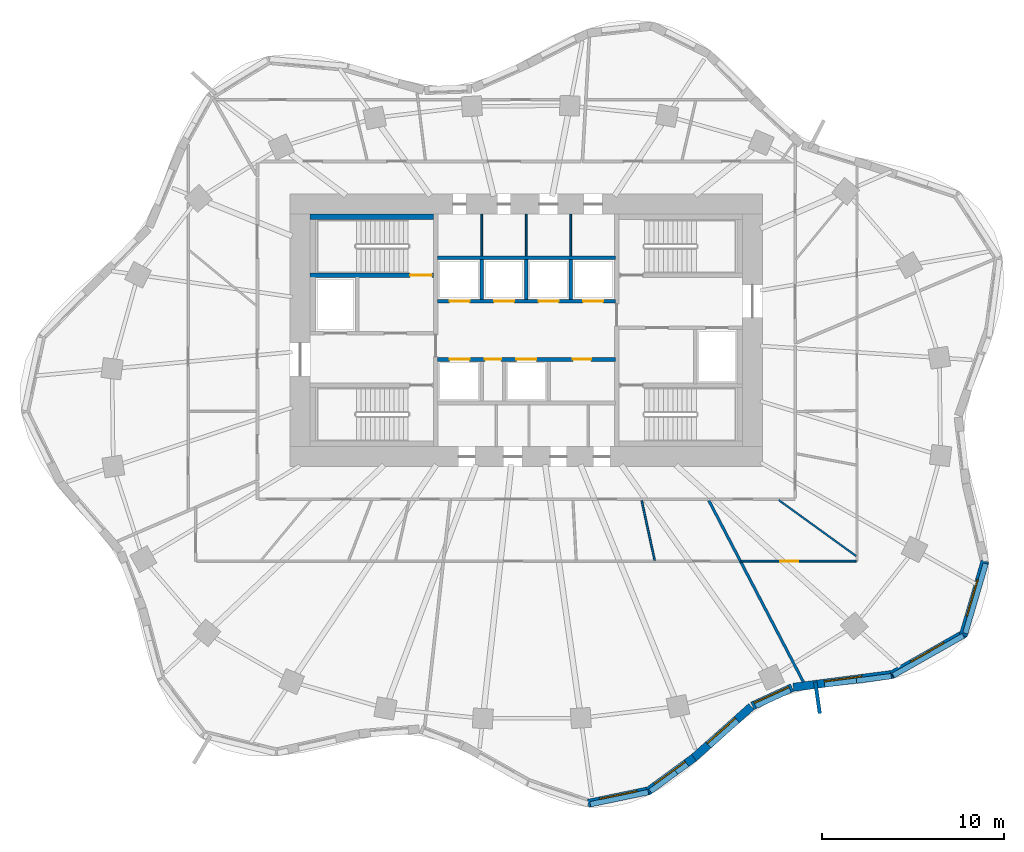
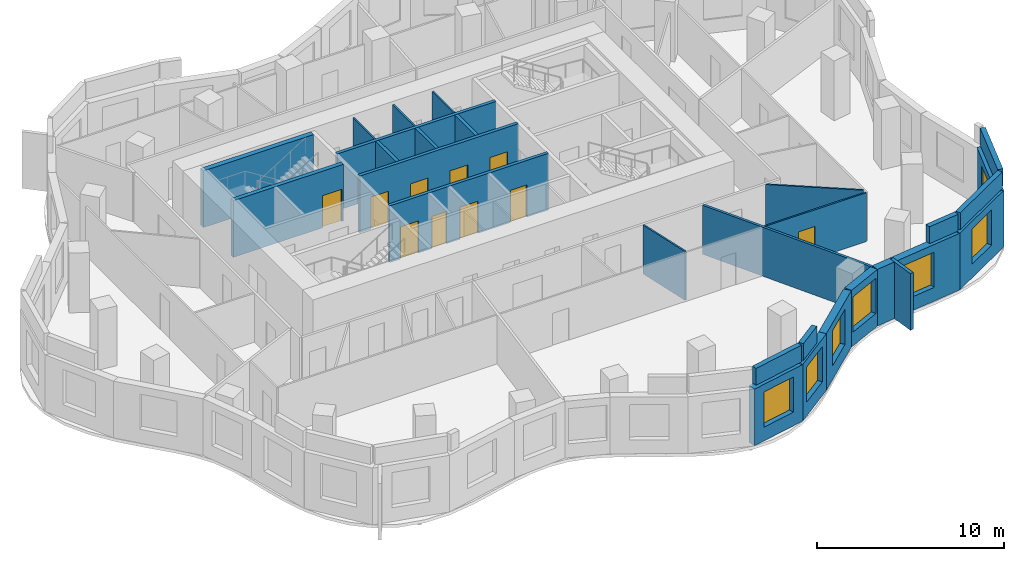
# One storey, part 5 of 9: 28 walls, 10 doors, 7 windows, 17 openings.
"""IFC4 building model written with IfcOpenShell, lengths in metres."""

import ifcopenshell
import ifcopenshell.guid

model = None  # the IFC model being written
_history = None  # IfcOwnerHistory: only IFC2X3 demands one
_inside = {}  # id of a spatial element -> (the spatial element, [elements in it])
_under = {}  # id of a project, library or spatial element -> (it, [spatial elements below it])
_declared = {}  # id of a project -> (the project, [libraries it declares])
_typed = {}  # id of a type object -> (the type object, [elements of that type])
_made_of = {}  # id of a material, layer set ... -> (it, [elements and type objects made of it])


def new_model(schema):
    """Start an empty IFC model of exactly this schema.

    Asked for "IFC4X3", IfcOpenShell would pick the latest addendum, in which some entities
    have other attributes; the version numbers below select the first issue.
    IFC2X3 requires an IfcOwnerHistory on every rooted entity: one is made here for all.
    """
    global model, _history
    if schema == "IFC4X3":
        model = ifcopenshell.file(schema_version=(4, 3, 0, 0))
    else:
        model = ifcopenshell.file(schema=schema)
    _inside.clear()
    _under.clear()
    _declared.clear()
    _typed.clear()
    _made_of.clear()
    _history = None
    if model.schema == "IFC2X3":
        org = make("IfcOrganization", Name="unknown")
        user = make(
            "IfcPersonAndOrganization",
            ThePerson=make("IfcPerson", FamilyName="unknown"),
            TheOrganization=org,
        )
        app = make(
            "IfcApplication",
            ApplicationDeveloper=org,
            Version="unknown",
            ApplicationFullName="unknown",
            ApplicationIdentifier="unknown",
        )
        _history = make(
            "IfcOwnerHistory",
            OwningUser=user,
            OwningApplication=app,
            ChangeAction="ADDED",
            CreationDate=0,
        )
    return model


def make(cls, **values):
    """One entity of the class cls with the attributes given. An attribute that is None is left unset."""
    return model.create_entity(
        cls, **{name: value for name, value in values.items() if value is not None}
    )


def rooted(cls, **values):
    """An entity with a GlobalId (a new one), such as an element, a storey or a relation."""
    return make(cls, GlobalId=ifcopenshell.guid.new(), OwnerHistory=_history, **values)


def si_unit(unit_type, name, prefix=None):
    """IfcSIUnit, for example si_unit("LENGTHUNIT", "METRE", prefix="MILLI")."""
    return make("IfcSIUnit", UnitType=unit_type, Prefix=prefix, Name=name)


def assignment(units):
    """IfcUnitAssignment: the units of a project."""
    return None if units is None else make("IfcUnitAssignment", Units=units)


def point(xyz):
    """IfcCartesianPoint."""
    return None if xyz is None else make("IfcCartesianPoint", Coordinates=xyz)


def direction(xyz):
    """IfcDirection."""
    return None if xyz is None else make("IfcDirection", DirectionRatios=xyz)


def frame(location, z_axis=None, x_axis=None):
    """IfcAxis2Placement3D, a coordinate frame: its origin and axes. An axis left out is left unset."""
    return make(
        "IfcAxis2Placement3D",
        Location=point(location),
        Axis=direction(z_axis),
        RefDirection=direction(x_axis),
    )


def frame_2d(location, x_axis=None):
    """IfcAxis2Placement2D, a coordinate frame in the plane: its origin and x axis."""
    return make(
        "IfcAxis2Placement2D", Location=point(location), RefDirection=direction(x_axis)
    )


def origin():
    """The frame at (0, 0, 0) with its axes left unset."""
    return frame((0.0, 0.0, 0.0))


def place(relative_to, where):
    """IfcLocalPlacement: puts the frame where relative to a parent placement (None: the world)."""
    return make(
        "IfcLocalPlacement", PlacementRelTo=relative_to, RelativePlacement=where
    )


def context(
    kind, dimensions, precision=None, world=None, true_north=None, identifier=None
):
    """IfcGeometricRepresentationContext, for example the 3D "Model" context."""
    return make(
        "IfcGeometricRepresentationContext",
        ContextIdentifier=identifier,
        ContextType=kind,
        CoordinateSpaceDimension=dimensions,
        Precision=precision,
        WorldCoordinateSystem=world,
        TrueNorth=true_north,
    )


def subcontext(parent, identifier, kind, view, scale=None):
    """IfcGeometricRepresentationSubContext, for example "Body" below "Model"."""
    return make(
        "IfcGeometricRepresentationSubContext",
        ContextIdentifier=identifier,
        ContextType=kind,
        ParentContext=parent,
        TargetScale=scale,
        TargetView=view,
    )


def project(units=None, contexts=None):
    """IfcProject with its units and contexts."""
    return rooted(
        "IfcProject",
        Name="project",
        RepresentationContexts=contexts,
        UnitsInContext=assignment(units),
    )


def spatial(cls, under=None, at=None, **own):
    """A site, building, storey or space (cls), placed at a placement, below another one or the project."""
    s = rooted(cls, ObjectPlacement=at, **own)
    if under is not None:
        _under.setdefault(under.id(), (under, []))[1].append(s)
    return s


def profile(cls, at=None, kind="AREA", **sizes):
    """A parametric profile (cls). Its sizes go by their IFC names, for example OverallWidth=200.0."""
    return make(cls, ProfileType=kind, Position=at, **sizes)


def rectangle(**sizes):
    """IfcRectangleProfileDef."""
    return profile("IfcRectangleProfileDef", **sizes)


def extrude(swept, where, along, depth):
    """IfcExtrudedAreaSolid: the profile swept, set in the frame where, extruded along a direction by depth."""
    return make(
        "IfcExtrudedAreaSolid",
        SweptArea=swept,
        Position=where,
        ExtrudedDirection=direction(along),
        Depth=depth,
    )


def shape(context_of_items, identifier, shape_type, items):
    """IfcShapeRepresentation: the items that make up one representation, for example the "Body"."""
    return make(
        "IfcShapeRepresentation",
        ContextOfItems=context_of_items,
        RepresentationIdentifier=identifier,
        RepresentationType=shape_type,
        Items=items,
    )


def material(Name=None, Category=None):
    """IfcMaterial."""
    return make("IfcMaterial", Name=Name, Category=Category)


def layer(
    of_material, thickness, ventilated=None, Name=None, Category=None, Priority=None
):
    """IfcMaterialLayer: one layer of a wall or slab, of a material (None: an air gap)."""
    return make(
        "IfcMaterialLayer",
        Material=of_material,
        LayerThickness=thickness,
        IsVentilated=ventilated,
        Name=Name,
        Category=Category,
        Priority=Priority,
    )


def layer_set(layers, Name=None):
    """IfcMaterialLayerSet."""
    return make("IfcMaterialLayerSet", MaterialLayers=layers, LayerSetName=Name)


def made_of(thing, what):
    """Note that an element or type object is made of a material, layer set ...; save() writes the relation."""
    if what is not None:
        _made_of.setdefault(what.id(), (what, []))[1].append(thing)
    return thing


def type_object(cls, material=None, **own):
    """A type object (cls), such as IfcWallType, which elements share."""
    return made_of(rooted(cls, **own), material)


def element(
    cls,
    number,
    at=None,
    inside=None,
    cuts=None,
    type_object=None,
    material=None,
    context=None,
    identifier="Body",
    shape_type=None,
    held_by="IfcProductDefinitionShape",
    body=None,
    shapes=None,
    **own,
):
    """One element of the class cls, such as IfcWall. Its Tag is "e" and its number.

    at: its placement. inside: the storey or other place that contains it. cuts: it is an
    opening in that element (IfcRelVoidsElement). A single representation is given by context,
    identifier, shape_type and body (its items); several are given by shapes. held_by: the class
    of the entity that holds the representations. save() writes the other relations.
    """
    e = rooted(cls, Tag="e%d" % number, ObjectPlacement=at, **own)
    if body is not None:
        shapes = [shape(context, identifier, shape_type, body)]
    if shapes is not None:
        e.Representation = make(held_by, Representations=shapes)
    if inside is not None:
        _inside.setdefault(inside.id(), (inside, []))[1].append(e)
    if cuts is not None:
        rooted(
            "IfcRelVoidsElement", RelatingBuildingElement=cuts, RelatedOpeningElement=e
        )
    if type_object is not None:
        _typed.setdefault(type_object.id(), (type_object, []))[1].append(e)
    return made_of(e, material)


def fill(opening, filler):
    """IfcRelFillsElement: the door or window that sits in an opening."""
    return rooted(
        "IfcRelFillsElement",
        RelatingOpeningElement=opening,
        RelatedBuildingElement=filler,
    )


def aggregate(whole, parts):
    """IfcRelAggregates: a whole, such as a stair, and the parts it consists of."""
    return rooted("IfcRelAggregates", RelatingObject=whole, RelatedObjects=parts)


def save(model, path):
    """Write the relations noted so far, then the file.

    IfcRelAggregates (storeys below a building ...), IfcRelContainedInSpatialStructure (elements
    in a storey), IfcRelDefinesByType, IfcRelAssociatesMaterial and IfcRelDeclares: one each for
    every whole, place, type object, material and project.
    """
    for whole, parts in _under.values():
        aggregate(whole, parts)
    for where, things in _inside.values():
        rooted(
            "IfcRelContainedInSpatialStructure",
            RelatedElements=things,
            RelatingStructure=where,
        )
    for kind, things in _typed.values():
        rooted("IfcRelDefinesByType", RelatedObjects=things, RelatingType=kind)
    for what, things in _made_of.values():
        rooted("IfcRelAssociatesMaterial", RelatedObjects=things, RelatingMaterial=what)
    for by, libraries in _declared.values():
        rooted("IfcRelDeclares", RelatingContext=by, RelatedDefinitions=libraries)
    model.write(path)


model = new_model("IFC4")

# Units and contexts
model_context = context("Model", 3, precision=1e-05, world=origin(), true_north=direction((0.0, 1.0)))
body_context = subcontext(model_context, "Body", "Model", "MODEL_VIEW")
ifc_project = project(units=[si_unit("LENGTHUNIT", "METRE"), si_unit("AREAUNIT", "SQUARE_METRE"), si_unit("VOLUMEUNIT", "CUBIC_METRE"), si_unit("PLANEANGLEUNIT", "RADIAN"), si_unit("MASSUNIT", "GRAM", prefix="KILO")], contexts=[model_context])

# Site, building, storey
site_placement = place(None, origin())
site = spatial("IfcSite", under=ifc_project, at=site_placement, CompositionType="ELEMENT")
building_placement = place(site_placement, origin())
building = spatial("IfcBuilding", under=site, at=building_placement, Name="Rubra Terraces Tower", CompositionType="ELEMENT")
storey_placement = place(building_placement, frame((0.0, 0.0, 142.199951171875)))
storey = spatial("IfcBuildingStorey", under=building, at=storey_placement, Name="L34", CompositionType="ELEMENT", Elevation=142.199951171875)

# Wall, opening, window
ifc_material_1 = material(Name="Brick masonry red-brown", Category="masonry")
ifc_layer_1 = layer(ifc_material_1, 0.449951171875)
ifc_layer_set_1 = layer_set([ifc_layer_1], Name="Brick masonry red-brown")
wall_type_1 = type_object("IfcWallType", Name="Brick facade wall 450", PredefinedType="SOLIDWALL", material=ifc_layer_set_1)
wall_1_placement = place(storey_placement, frame((3.39892578125, -21.53173828125, 0.0), z_axis=(0.0, 0.0, 1.0), x_axis=(0.978915912181, 0.204263645512, 0.0)))
wall_1 = element("IfcWall", 1, at=wall_1_placement, inside=storey, type_object=wall_type_1, Name="Facade wall L34 bay 32", PredefinedType="SOLIDWALL", context=body_context, shape_type="SweptSolid", body=[
    extrude(rectangle(XDim=3.466064453125, YDim=0.449951171875, at=frame_2d((1.73291015625, 0.0))), origin(), (0.0, 0.0, 1.0), 3.699951171875),
])
opening_1_placement = place(wall_1_placement, frame((0.68310546875, 0.0, 0.89990234375)))
opening_1 = element("IfcOpeningElement", 2, at=opening_1_placement, cuts=wall_1, Name="Opening W1B", PredefinedType="OPENING", context=body_context, shape_type="SweptSolid", body=[
    extrude(rectangle(XDim=2.10009765625, YDim=2.300048828125, at=frame_2d((1.050048828125, 1.14990234375))), frame((0.0, 0.23486328125, 0.0), z_axis=(0.0, -1.0, 0.0), x_axis=(1.0, 0.0, 0.0)), (0.0, 0.0, 1.0), 0.469970703125),
])
ifc_material_2 = material(Name="Clear glass in aluminium frame", Category="aluminium")
window_type = type_object("IfcWindowType", Name="Fixed deep-set window tall storey 2100 x 2300", PartitioningType="SINGLE_PANEL", PredefinedType="WINDOW", material=ifc_material_2)
window_1_placement = place(opening_1_placement, origin())
window_1 = element("IfcWindow", 3, at=window_1_placement, inside=storey, type_object=window_type, Name="Window L34 bay 32", OverallHeight=2.300048828125, OverallWidth=2.10009765625, PartitioningType="SINGLE_PANEL", PredefinedType="WINDOW", context=body_context, shape_type="SweptSolid", body=[
    extrude(rectangle(XDim=2.10009765625, YDim=2.300048828125, at=frame_2d((1.050048828125, 1.14990234375))), frame((0.0, 0.135009765625, 0.0), z_axis=(0.0, -1.0, 0.0), x_axis=(1.0, 0.0, 0.0)), (0.0, 0.0, 1.0), 0.06005859375),
])
fill(opening_1, window_1)

wall_2_placement = place(storey_placement, frame((6.705078125, -20.8623046875, 0.0), z_axis=(0.0, 0.0, 1.0), x_axis=(0.806921336267, 0.590658917716, 0.0)))
wall_2 = element("IfcWall", 4, at=wall_2_placement, inside=storey, type_object=wall_type_1, Name="Facade wall L34 bay 33", PredefinedType="SOLIDWALL", context=body_context, shape_type="SweptSolid", body=[
    extrude(rectangle(XDim=3.124755859375, YDim=0.449951171875, at=frame_2d((1.5625, 0.0))), origin(), (0.0, 0.0, 1.0), 3.699951171875),
])
opening_2_placement = place(wall_2_placement, frame((0.512451171875, 0.0, 0.89990234375)))
opening_2 = element("IfcOpeningElement", 5, at=opening_2_placement, cuts=wall_2, Name="Opening W1B", PredefinedType="OPENING", context=body_context, shape_type="SweptSolid", body=[
    extrude(rectangle(XDim=2.10009765625, YDim=2.300048828125, at=frame_2d((1.050048828125, 1.14990234375))), frame((0.0, 0.23486328125, 0.0), z_axis=(0.0, -1.0, 0.0), x_axis=(1.0, 0.0, 0.0)), (0.0, 0.0, 1.0), 0.469970703125),
])
window_2_placement = place(opening_2_placement, origin())
window_2 = element("IfcWindow", 6, at=window_2_placement, inside=storey, type_object=window_type, Name="Window L34 bay 33", OverallHeight=2.300048828125, OverallWidth=2.10009765625, PartitioningType="SINGLE_PANEL", PredefinedType="WINDOW", context=body_context, shape_type="SweptSolid", body=[
    extrude(rectangle(XDim=2.10009765625, YDim=2.300048828125, at=frame_2d((1.050048828125, 1.14990234375))), frame((0.0, 0.135009765625, 0.0), z_axis=(0.0, -1.0, 0.0), x_axis=(1.0, 0.0, 0.0)), (0.0, 0.0, 1.0), 0.06005859375),
])
fill(opening_2, window_2)

wall_3_placement = place(storey_placement, frame((9.2099609375, -19.030029296875, 0.0), z_axis=(0.0, 0.0, 1.0), x_axis=(0.747396648191, 0.664378092861, 0.0)))
wall_3 = element("IfcWall", 7, at=wall_3_placement, inside=storey, type_object=wall_type_1, Name="Facade wall L34 bay 34", PredefinedType="SOLIDWALL", context=body_context, shape_type="SweptSolid", body=[
    extrude(rectangle(XDim=4.25244140625, YDim=0.449951171875, at=frame_2d((2.126220703125, 0.0))), origin(), (0.0, 0.0, 1.0), 3.699951171875),
])
opening_3_placement = place(wall_3_placement, frame((1.076171875, 0.0, 0.89990234375)))
opening_3 = element("IfcOpeningElement", 8, at=opening_3_placement, cuts=wall_3, Name="Opening W1B", PredefinedType="OPENING", context=body_context, shape_type="SweptSolid", body=[
    extrude(rectangle(XDim=2.10009765625, YDim=2.300048828125, at=frame_2d((1.050048828125, 1.14990234375))), frame((0.0, 0.23486328125, 0.0), z_axis=(0.0, -1.0, 0.0), x_axis=(1.0, 0.0, 0.0)), (0.0, 0.0, 1.0), 0.469970703125),
])
window_3_placement = place(opening_3_placement, origin())
window_3 = element("IfcWindow", 9, at=window_3_placement, inside=storey, type_object=window_type, Name="Window L34 bay 34", OverallHeight=2.300048828125, OverallWidth=2.10009765625, PartitioningType="SINGLE_PANEL", PredefinedType="WINDOW", context=body_context, shape_type="SweptSolid", body=[
    extrude(rectangle(XDim=2.10009765625, YDim=2.300048828125, at=frame_2d((1.050048828125, 1.14990234375))), frame((0.0, 0.135009765625, 0.0), z_axis=(0.0, -1.0, 0.0), x_axis=(1.0, 0.0, 0.0)), (0.0, 0.0, 1.0), 0.06005859375),
])
fill(opening_3, window_3)

wall_4_placement = place(storey_placement, frame((12.443603515625, -16.168701171875, 0.0), z_axis=(0.0, 0.0, 1.0), x_axis=(0.908468904074, 0.417952449844, 0.0)))
wall_4 = element("IfcWall", 10, at=wall_4_placement, inside=storey, type_object=wall_type_1, Name="Facade wall L34 bay 35", PredefinedType="SOLIDWALL", context=body_context, shape_type="SweptSolid", body=[
    extrude(rectangle(XDim=2.408935546875, YDim=0.449951171875, at=frame_2d((1.20458984375, 0.0))), origin(), (0.0, 0.0, 1.0), 3.699951171875),
])
opening_4_placement = place(wall_4_placement, frame((0.154541015625, 0.0, 0.89990234375)))
opening_4 = element("IfcOpeningElement", 11, at=opening_4_placement, cuts=wall_4, Name="Opening W1B", PredefinedType="OPENING", context=body_context, shape_type="SweptSolid", body=[
    extrude(rectangle(XDim=2.10009765625, YDim=2.300048828125, at=frame_2d((1.050048828125, 1.14990234375))), frame((0.0, 0.23486328125, 0.0), z_axis=(0.0, -1.0, 0.0), x_axis=(1.0, 0.0, 0.0)), (0.0, 0.0, 1.0), 0.469970703125),
])
window_4_placement = place(opening_4_placement, origin())
window_4 = element("IfcWindow", 12, at=window_4_placement, inside=storey, type_object=window_type, Name="Window L34 bay 35", OverallHeight=2.300048828125, OverallWidth=2.10009765625, PartitioningType="SINGLE_PANEL", PredefinedType="WINDOW", context=body_context, shape_type="SweptSolid", body=[
    extrude(rectangle(XDim=2.10009765625, YDim=2.300048828125, at=frame_2d((1.050048828125, 1.14990234375))), frame((0.0, 0.135009765625, 0.0), z_axis=(0.0, -1.0, 0.0), x_axis=(1.0, 0.0, 0.0)), (0.0, 0.0, 1.0), 0.06005859375),
])
fill(opening_4, window_4)

wall_5_placement = place(storey_placement, frame((14.697265625, -15.143310546875, 0.0), z_axis=(0.0, 0.0, 1.0), x_axis=(0.991631798411, 0.129098320597, 0.0)))
wall_5 = element("IfcWall", 13, at=wall_5_placement, inside=storey, type_object=wall_type_1, Name="Facade wall L34 bay 36", PredefinedType="SOLIDWALL", context=body_context, shape_type="SweptSolid", body=[
    extrude(rectangle(XDim=5.546630859375, YDim=0.449951171875, at=frame_2d((2.7734375, 0.0))), origin(), (0.0, 0.0, 1.0), 3.699951171875),
])
opening_5_placement = place(wall_5_placement, frame((1.723388671875, 0.0, 0.89990234375)))
opening_5 = element("IfcOpeningElement", 14, at=opening_5_placement, cuts=wall_5, Name="Opening W1B", PredefinedType="OPENING", context=body_context, shape_type="SweptSolid", body=[
    extrude(rectangle(XDim=2.10009765625, YDim=2.300048828125, at=frame_2d((1.050048828125, 1.14990234375))), frame((0.0, 0.23486328125, 0.0), z_axis=(0.0, -1.0, 0.0), x_axis=(1.0, 0.0, 0.0)), (0.0, 0.0, 1.0), 0.469970703125),
])
window_5_placement = place(opening_5_placement, origin())
window_5 = element("IfcWindow", 15, at=window_5_placement, inside=storey, type_object=window_type, Name="Window L34 bay 36", OverallHeight=2.300048828125, OverallWidth=2.10009765625, PartitioningType="SINGLE_PANEL", PredefinedType="WINDOW", context=body_context, shape_type="SweptSolid", body=[
    extrude(rectangle(XDim=2.10009765625, YDim=2.300048828125, at=frame_2d((1.050048828125, 1.14990234375))), frame((0.0, 0.135009765625, 0.0), z_axis=(0.0, -1.0, 0.0), x_axis=(1.0, 0.0, 0.0)), (0.0, 0.0, 1.0), 0.06005859375),
])
fill(opening_5, window_5)

wall_6_placement = place(storey_placement, frame((20.115478515625, -14.45458984375, 0.0), z_axis=(0.0, 0.0, 1.0), x_axis=(0.869822679286, 0.493364476427, 0.0)))
wall_6 = element("IfcWall", 16, at=wall_6_placement, inside=storey, type_object=wall_type_1, Name="Facade wall L34 bay 37", PredefinedType="SOLIDWALL", context=body_context, shape_type="SweptSolid", body=[
    extrude(rectangle(XDim=4.63818359375, YDim=0.449951171875, at=frame_2d((2.319091796875, 0.0))), origin(), (0.0, 0.0, 1.0), 3.699951171875),
])
opening_6_placement = place(wall_6_placement, frame((1.26904296875, 0.0, 0.89990234375)))
opening_6 = element("IfcOpeningElement", 17, at=opening_6_placement, cuts=wall_6, Name="Opening W1B", PredefinedType="OPENING", context=body_context, shape_type="SweptSolid", body=[
    extrude(rectangle(XDim=2.10009765625, YDim=2.300048828125, at=frame_2d((1.050048828125, 1.14990234375))), frame((0.0, 0.23486328125, 0.0), z_axis=(0.0, -1.0, 0.0), x_axis=(1.0, 0.0, 0.0)), (0.0, 0.0, 1.0), 0.469970703125),
])
window_6_placement = place(opening_6_placement, origin())
window_6 = element("IfcWindow", 18, at=window_6_placement, inside=storey, type_object=window_type, Name="Window L34 bay 37", OverallHeight=2.300048828125, OverallWidth=2.10009765625, PartitioningType="SINGLE_PANEL", PredefinedType="WINDOW", context=body_context, shape_type="SweptSolid", body=[
    extrude(rectangle(XDim=2.10009765625, YDim=2.300048828125, at=frame_2d((1.050048828125, 1.14990234375))), frame((0.0, 0.135009765625, 0.0), z_axis=(0.0, -1.0, 0.0), x_axis=(1.0, 0.0, 0.0)), (0.0, 0.0, 1.0), 0.06005859375),
])
fill(opening_6, window_6)

wall_7_placement = place(storey_placement, frame((24.045166015625, -12.298583984375, 0.0), z_axis=(0.0, 0.0, 1.0), x_axis=(0.281381418228, 0.95959600743, 0.0)))
wall_7 = element("IfcWall", 19, at=wall_7_placement, inside=storey, type_object=wall_type_1, Name="Facade wall L34 bay 38", PredefinedType="SOLIDWALL", context=body_context, shape_type="SweptSolid", body=[
    extrude(rectangle(XDim=4.260986328125, YDim=0.449951171875, at=frame_2d((2.13037109375, 0.0))), origin(), (0.0, 0.0, 1.0), 3.699951171875),
])
opening_7_placement = place(wall_7_placement, frame((1.08056640625, 0.0, 0.89990234375)))
opening_7 = element("IfcOpeningElement", 20, at=opening_7_placement, cuts=wall_7, Name="Opening W1B", PredefinedType="OPENING", context=body_context, shape_type="SweptSolid", body=[
    extrude(rectangle(XDim=2.10009765625, YDim=2.300048828125, at=frame_2d((1.050048828125, 1.14990234375))), frame((0.0, 0.23486328125, 0.0), z_axis=(0.0, -1.0, 0.0), x_axis=(1.0, 0.0, 0.0)), (0.0, 0.0, 1.0), 0.469970703125),
])
window_7_placement = place(opening_7_placement, origin())
window_7 = element("IfcWindow", 21, at=window_7_placement, inside=storey, type_object=window_type, Name="Window L34 bay 38", OverallHeight=2.300048828125, OverallWidth=2.10009765625, PartitioningType="SINGLE_PANEL", PredefinedType="WINDOW", context=body_context, shape_type="SweptSolid", body=[
    extrude(rectangle(XDim=2.10009765625, YDim=2.300048828125, at=frame_2d((1.050048828125, 1.14990234375))), frame((0.0, 0.135009765625, 0.0), z_axis=(0.0, -1.0, 0.0), x_axis=(1.0, 0.0, 0.0)), (0.0, 0.0, 1.0), 0.06005859375),
])
fill(opening_7, window_7)

# Walls
ifc_layer_2 = layer(ifc_material_1, 0.300048828125)
ifc_layer_set_2 = layer_set([ifc_layer_2], Name="Brick masonry red-brown")
wall_type_2 = type_object("IfcWallType", Name="Brick parapet 300", PredefinedType="PARAPET", material=ifc_layer_set_2)
wall_8_placement = place(storey_placement, frame((3.523681640625, -21.582275390625, 3.900146484375), z_axis=(0.0, 0.0, 1.0), x_axis=(0.97891618591, 0.204262333689, 0.0)))
element("IfcWall", 22, at=wall_8_placement, inside=storey, type_object=wall_type_2, Name="Parapet L34 bay 32", PredefinedType="PARAPET", context=body_context, shape_type="SweptSolid", body=[
    extrude(rectangle(XDim=3.25927734375, YDim=0.300048828125, at=frame_2d((1.629638671875, 0.0))), origin(), (0.0, 0.0, 1.0), 1.099853515625),
])
wall_9_placement = place(storey_placement, frame((6.825927734375, -20.866943359375, 3.900146484375), z_axis=(0.0, 0.0, 1.0), x_axis=(0.806882780815, 0.59071158616, 0.0)))
element("IfcWall", 23, at=wall_9_placement, inside=storey, type_object=wall_type_2, Name="Parapet L34 bay 33", PredefinedType="PARAPET", context=body_context, shape_type="SweptSolid", body=[
    extrude(rectangle(XDim=1.769775390625, YDim=0.300048828125, at=frame_2d((0.884765625, 0.0))), origin(), (0.0, 0.0, 1.0), 1.099853515625),
])
wall_10_placement = place(storey_placement, frame((18.171875, -14.78173828125, 3.900146484375), z_axis=(0.0, 0.0, 1.0), x_axis=(0.99163214002, 0.129095696595, 0.0)))
element("IfcWall", 24, at=wall_10_placement, inside=storey, type_object=wall_type_2, Name="Parapet L34 bay 36", PredefinedType="PARAPET", context=body_context, shape_type="SweptSolid", body=[
    extrude(rectangle(XDim=1.928955078125, YDim=0.300048828125, at=frame_2d((0.96435546875, 0.0))), origin(), (0.0, 0.0, 1.0), 1.099853515625),
])
wall_11_placement = place(storey_placement, frame((20.195068359375, -14.495849609375, 3.900146484375), z_axis=(0.0, 0.0, 1.0), x_axis=(0.86982311217, 0.493363713234, 0.0)))
element("IfcWall", 25, at=wall_11_placement, inside=storey, type_object=wall_type_2, Name="Parapet L34 bay 37", PredefinedType="PARAPET", context=body_context, shape_type="SweptSolid", body=[
    extrude(rectangle(XDim=4.437744140625, YDim=0.300048828125, at=frame_2d((2.21875, 0.0))), origin(), (0.0, 0.0, 1.0), 1.099853515625),
])
wall_12_placement = place(storey_placement, frame((24.15966796875, -12.17431640625, 3.900146484375), z_axis=(0.0, 0.0, 1.0), x_axis=(0.281412876289, 0.959586782453, 0.0)))
element("IfcWall", 26, at=wall_12_placement, inside=storey, type_object=wall_type_2, Name="Parapet L34 bay 38", PredefinedType="PARAPET", context=body_context, shape_type="SweptSolid", body=[
    extrude(rectangle(XDim=4.000244140625, YDim=0.300048828125, at=frame_2d((2.0, 0.0))), origin(), (0.0, 0.0, 1.0), 1.099853515625),
])
ifc_layer_3 = layer(ifc_material_1, 0.199951171875)
ifc_layer_set_3 = layer_set([ifc_layer_3], Name="Brick masonry red-brown")
wall_type_3 = type_object("IfcWallType", Name="Brick wind fin 200", PredefinedType="SOLIDWALL", material=ifc_layer_set_3)
wall_13_placement = place(storey_placement, frame((15.905029296875, -14.85009765625, 0.0), z_axis=(0.0, 0.0, 1.0), x_axis=(0.140913490987, -0.990021912918, 0.0)))
element("IfcWall", 27, at=wall_13_placement, inside=storey, type_object=wall_type_3, Name="Wind fin L34 18", PredefinedType="SOLIDWALL", context=body_context, shape_type="SweptSolid", body=[
    extrude(rectangle(XDim=1.75, YDim=0.199951171875, at=frame_2d((0.875, 0.0))), origin(), (0.0, 0.0, 1.0), 3.699951171875),
])
ifc_material_3 = material(Name="Concrete C40", Category="concrete")
ifc_layer_4 = layer(ifc_material_3, 0.300048828125)
ifc_layer_set_4 = layer_set([ifc_layer_4], Name="Concrete C40")
wall_type_4 = type_object("IfcWallType", Name="Core lining wall 300 concrete", PredefinedType="SOLIDWALL", material=ifc_layer_set_4)
wall_14_placement = place(storey_placement, frame((-11.89990234375, 10.75, 0.0), z_axis=(0.0, 0.0, 1.0), x_axis=(1.0, 0.0, 0.0)))
element("IfcWall", 28, at=wall_14_placement, inside=storey, type_object=wall_type_4, Name="CORE LINING WALL L34", PredefinedType="SOLIDWALL", context=body_context, shape_type="SweptSolid", body=[
    extrude(rectangle(XDim=6.7998046875, YDim=0.300048828125, at=frame_2d((3.39990234375, 0.0))), origin(), (0.0, 0.0, 1.0), 3.699951171875),
])

# Wall, openings, doors
ifc_material_4 = material(Name="Concrete C30", Category="concrete")
ifc_layer_5 = layer(ifc_material_4, 0.199951171875)
ifc_layer_set_5 = layer_set([ifc_layer_5], Name="Concrete C30")
wall_type_5 = type_object("IfcWallType", Name="Core wall 200 concrete", PredefinedType="SOLIDWALL", material=ifc_layer_set_5)
wall_15_placement = place(storey_placement, frame((-4.89990234375, 2.89990234375, 0.0), z_axis=(0.0, 0.0, 1.0), x_axis=(1.0, 0.0, 0.0)))
wall_15 = element("IfcWall", 29, at=wall_15_placement, inside=storey, type_object=wall_type_5, Name="LIFT SHAFT WALL L34", PredefinedType="SOLIDWALL", context=body_context, shape_type="SweptSolid", body=[
    extrude(rectangle(XDim=9.7998046875, YDim=0.199951171875, at=frame_2d((4.89990234375, 0.0))), origin(), (0.0, 0.0, 1.0), 3.699951171875),
])
opening_8_placement = place(wall_15_placement, frame((0.675048828125, 0.0, 0.0)))
opening_8 = element("IfcOpeningElement", 30, at=opening_8_placement, cuts=wall_15, Name="Opening L34.C13", PredefinedType="OPENING", context=body_context, shape_type="SweptSolid", body=[
    extrude(rectangle(XDim=1.10009765625, YDim=2.10009765625, at=frame_2d((0.550048828125, 1.050048828125))), frame((0.0, 0.10986328125, 0.0), z_axis=(0.0, -1.0, 0.0), x_axis=(1.0, 0.0, 0.0)), (0.0, 0.0, 1.0), 0.219970703125),
])
opening_9_placement = place(wall_15_placement, frame((2.613037109375, 0.0, 0.0)))
opening_9 = element("IfcOpeningElement", 31, at=opening_9_placement, cuts=wall_15, Name="Opening L34.C14", PredefinedType="OPENING", context=body_context, shape_type="SweptSolid", body=[
    extrude(rectangle(XDim=0.89990234375, YDim=2.10009765625, at=frame_2d((0.449951171875, 1.050048828125))), frame((0.0, 0.10986328125, 0.0), z_axis=(0.0, -1.0, 0.0), x_axis=(1.0, 0.0, 0.0)), (0.0, 0.0, 1.0), 0.219970703125),
])
opening_10_placement = place(wall_15_placement, frame((4.35009765625, 0.0, 0.0)))
opening_10 = element("IfcOpeningElement", 32, at=opening_10_placement, cuts=wall_15, Name="Opening L34.C15", PredefinedType="OPENING", context=body_context, shape_type="SweptSolid", body=[
    extrude(rectangle(XDim=1.10009765625, YDim=2.10009765625, at=frame_2d((0.550048828125, 1.050048828125))), frame((0.0, 0.10986328125, 0.0), z_axis=(0.0, -1.0, 0.0), x_axis=(1.0, 0.0, 0.0)), (0.0, 0.0, 1.0), 0.219970703125),
])
opening_11_placement = place(wall_15_placement, frame((7.462890625, 0.0, 0.0)))
opening_11 = element("IfcOpeningElement", 33, at=opening_11_placement, cuts=wall_15, Name="Opening L34.C16", PredefinedType="OPENING", context=body_context, shape_type="SweptSolid", body=[
    extrude(rectangle(XDim=1.0, YDim=2.10009765625, at=frame_2d((0.5, 1.050048828125))), frame((0.0, 0.10986328125, 0.0), z_axis=(0.0, -1.0, 0.0), x_axis=(1.0, 0.0, 0.0)), (0.0, 0.0, 1.0), 0.219970703125),
])
ifc_material_5 = material(Name="Painted steel", Category="steel")
door_type_1 = type_object("IfcDoorType", Name="Fire door 1000x2100 single", OperationType="NOTDEFINED", PredefinedType="DOOR", material=ifc_material_5)
door_1_placement = place(opening_11_placement, origin())
door_1 = element("IfcDoor", 34, at=door_1_placement, inside=storey, type_object=door_type_1, Name="Guest pantry door", OperationType="SINGLE_SWING_RIGHT", OverallHeight=2.10009765625, OverallWidth=1.0, PredefinedType="DOOR", context=body_context, shape_type="SweptSolid", body=[
    extrude(rectangle(XDim=1.0, YDim=2.10009765625, at=frame_2d((0.5, 1.050048828125))), frame((0.0, 0.02490234375, 0.0), z_axis=(0.0, -1.0, 0.0), x_axis=(1.0, 0.0, 0.0)), (0.0, 0.0, 1.0), 0.050048828125),
])
fill(opening_11, door_1)
door_type_2 = type_object("IfcDoorType", Name="Fire door 900x2100 single", OperationType="NOTDEFINED", PredefinedType="DOOR", material=ifc_material_5)
door_2_placement = place(opening_9_placement, origin())
door_2 = element("IfcDoor", 35, at=door_2_placement, inside=storey, type_object=door_type_2, Name="Cleaner's store door", OperationType="SINGLE_SWING_RIGHT", OverallHeight=2.10009765625, OverallWidth=0.89990234375, PredefinedType="DOOR", context=body_context, shape_type="SweptSolid", body=[
    extrude(rectangle(XDim=0.89990234375, YDim=2.10009765625, at=frame_2d((0.449951171875, 1.050048828125))), frame((0.0, 0.02490234375, 0.0), z_axis=(0.0, -1.0, 0.0), x_axis=(1.0, 0.0, 0.0)), (0.0, 0.0, 1.0), 0.050048828125),
])
fill(opening_9, door_2)
ifc_material_6 = material(Name="Stainless steel", Category="steel")
door_type_3 = type_object("IfcDoorType", Name="Lift landing door 1100x2100", OperationType="NOTDEFINED", PredefinedType="DOOR", material=ifc_material_6)
door_3_placement = place(opening_8_placement, origin())
door_3 = element("IfcDoor", 36, at=door_3_placement, inside=storey, type_object=door_type_3, Name="Landing door HB1", OperationType="SLIDING_TO_RIGHT", OverallHeight=2.10009765625, OverallWidth=1.10009765625, PredefinedType="DOOR", context=body_context, shape_type="SweptSolid", body=[
    extrude(rectangle(XDim=1.10009765625, YDim=2.10009765625, at=frame_2d((0.550048828125, 1.050048828125))), frame((0.0, 0.02490234375, 0.0), z_axis=(0.0, -1.0, 0.0), x_axis=(1.0, 0.0, 0.0)), (0.0, 0.0, 1.0), 0.050048828125),
])
fill(opening_8, door_3)
door_4_placement = place(opening_10_placement, origin())
door_4 = element("IfcDoor", 37, at=door_4_placement, inside=storey, type_object=door_type_3, Name="Landing door HB2", OperationType="SLIDING_TO_LEFT", OverallHeight=2.10009765625, OverallWidth=1.10009765625, PredefinedType="DOOR", context=body_context, shape_type="SweptSolid", body=[
    extrude(rectangle(XDim=1.10009765625, YDim=2.10009765625, at=frame_2d((0.550048828125, 1.050048828125))), frame((0.0, 0.02490234375, 0.0), z_axis=(0.0, -1.0, 0.0), x_axis=(1.0, 0.0, 0.0)), (0.0, 0.0, 1.0), 0.050048828125),
])
fill(opening_10, door_4)

wall_16_placement = place(storey_placement, frame((-4.89990234375, 6.10009765625, 0.0), z_axis=(0.0, 0.0, 1.0), x_axis=(1.0, 0.0, 0.0)))
wall_16 = element("IfcWall", 38, at=wall_16_placement, inside=storey, type_object=wall_type_5, Name="LIFT SHAFT WALL L34", PredefinedType="SOLIDWALL", context=body_context, shape_type="SweptSolid", body=[
    extrude(rectangle(XDim=9.7998046875, YDim=0.199951171875, at=frame_2d((4.89990234375, 0.0))), origin(), (0.0, 0.0, 1.0), 3.699951171875),
])
opening_12_placement = place(wall_16_placement, frame((0.675048828125, 0.0, 0.0)))
opening_12 = element("IfcOpeningElement", 39, at=opening_12_placement, cuts=wall_16, Name="Opening L34.C17", PredefinedType="OPENING", context=body_context, shape_type="SweptSolid", body=[
    extrude(rectangle(XDim=1.10009765625, YDim=2.10009765625, at=frame_2d((0.550048828125, 1.050048828125))), frame((0.0, 0.10986328125, 0.0), z_axis=(0.0, -1.0, 0.0), x_axis=(1.0, 0.0, 0.0)), (0.0, 0.0, 1.0), 0.219970703125),
])
opening_13_placement = place(wall_16_placement, frame((3.125, 0.0, 0.0)))
opening_13 = element("IfcOpeningElement", 40, at=opening_13_placement, cuts=wall_16, Name="Opening L34.C18", PredefinedType="OPENING", context=body_context, shape_type="SweptSolid", body=[
    extrude(rectangle(XDim=1.10009765625, YDim=2.10009765625, at=frame_2d((0.550048828125, 1.050048828125))), frame((0.0, 0.10986328125, 0.0), z_axis=(0.0, -1.0, 0.0), x_axis=(1.0, 0.0, 0.0)), (0.0, 0.0, 1.0), 0.219970703125),
])
opening_14_placement = place(wall_16_placement, frame((5.574951171875, 0.0, 0.0)))
opening_14 = element("IfcOpeningElement", 41, at=opening_14_placement, cuts=wall_16, Name="Opening L34.C19", PredefinedType="OPENING", context=body_context, shape_type="SweptSolid", body=[
    extrude(rectangle(XDim=1.10009765625, YDim=2.10009765625, at=frame_2d((0.550048828125, 1.050048828125))), frame((0.0, 0.10986328125, 0.0), z_axis=(0.0, -1.0, 0.0), x_axis=(1.0, 0.0, 0.0)), (0.0, 0.0, 1.0), 0.219970703125),
])
opening_15_placement = place(wall_16_placement, frame((8.02490234375, 0.0, 0.0)))
opening_15 = element("IfcOpeningElement", 42, at=opening_15_placement, cuts=wall_16, Name="Opening L34.C20", PredefinedType="OPENING", context=body_context, shape_type="SweptSolid", body=[
    extrude(rectangle(XDim=1.10009765625, YDim=2.10009765625, at=frame_2d((0.550048828125, 1.050048828125))), frame((0.0, 0.10986328125, 0.0), z_axis=(0.0, -1.0, 0.0), x_axis=(1.0, 0.0, 0.0)), (0.0, 0.0, 1.0), 0.219970703125),
])
door_5_placement = place(opening_12_placement, origin())
door_5 = element("IfcDoor", 43, at=door_5_placement, inside=storey, type_object=door_type_3, Name="Landing door HB3", OperationType="SLIDING_TO_RIGHT", OverallHeight=2.10009765625, OverallWidth=1.10009765625, PredefinedType="DOOR", context=body_context, shape_type="SweptSolid", body=[
    extrude(rectangle(XDim=1.10009765625, YDim=2.10009765625, at=frame_2d((0.550048828125, 1.050048828125))), frame((0.0, 0.02490234375, 0.0), z_axis=(0.0, -1.0, 0.0), x_axis=(1.0, 0.0, 0.0)), (0.0, 0.0, 1.0), 0.050048828125),
])
fill(opening_12, door_5)
door_6_placement = place(opening_13_placement, origin())
door_6 = element("IfcDoor", 44, at=door_6_placement, inside=storey, type_object=door_type_3, Name="Landing door HB4", OperationType="SLIDING_TO_LEFT", OverallHeight=2.10009765625, OverallWidth=1.10009765625, PredefinedType="DOOR", context=body_context, shape_type="SweptSolid", body=[
    extrude(rectangle(XDim=1.10009765625, YDim=2.10009765625, at=frame_2d((0.550048828125, 1.050048828125))), frame((0.0, 0.02490234375, 0.0), z_axis=(0.0, -1.0, 0.0), x_axis=(1.0, 0.0, 0.0)), (0.0, 0.0, 1.0), 0.050048828125),
])
fill(opening_13, door_6)
door_7_placement = place(opening_14_placement, origin())
door_7 = element("IfcDoor", 45, at=door_7_placement, inside=storey, type_object=door_type_3, Name="Landing door HB5", OperationType="SLIDING_TO_RIGHT", OverallHeight=2.10009765625, OverallWidth=1.10009765625, PredefinedType="DOOR", context=body_context, shape_type="SweptSolid", body=[
    extrude(rectangle(XDim=1.10009765625, YDim=2.10009765625, at=frame_2d((0.550048828125, 1.050048828125))), frame((0.0, 0.02490234375, 0.0), z_axis=(0.0, -1.0, 0.0), x_axis=(1.0, 0.0, 0.0)), (0.0, 0.0, 1.0), 0.050048828125),
])
fill(opening_14, door_7)
door_8_placement = place(opening_15_placement, origin())
door_8 = element("IfcDoor", 46, at=door_8_placement, inside=storey, type_object=door_type_3, Name="Landing door HB6", OperationType="SLIDING_TO_LEFT", OverallHeight=2.10009765625, OverallWidth=1.10009765625, PredefinedType="DOOR", context=body_context, shape_type="SweptSolid", body=[
    extrude(rectangle(XDim=1.10009765625, YDim=2.10009765625, at=frame_2d((0.550048828125, 1.050048828125))), frame((0.0, 0.02490234375, 0.0), z_axis=(0.0, -1.0, 0.0), x_axis=(1.0, 0.0, 0.0)), (0.0, 0.0, 1.0), 0.050048828125),
])
fill(opening_15, door_8)

# Walls
wall_17_placement = place(storey_placement, frame((-4.89990234375, 8.5, 0.0), z_axis=(0.0, 0.0, 1.0), x_axis=(1.0, 0.0, 0.0)))
element("IfcWall", 47, at=wall_17_placement, inside=storey, type_object=wall_type_5, Name="LIFT SHAFT WALL L34", PredefinedType="SOLIDWALL", context=body_context, shape_type="SweptSolid", body=[
    extrude(rectangle(XDim=9.7998046875, YDim=0.199951171875, at=frame_2d((4.89990234375, 0.0))), origin(), (0.0, 0.0, 1.0), 3.699951171875),
])
for number, where, z_axis, x_axis, name in (
    (48, (-2.449951171875, 6.199951171875, 0.0), (0.0, 0.0, 1.0), (0.0, 1.0, 0.0), "LIFT SHAFT WALL L34"),
    (49, (0.0, 6.199951171875, 0.0), (0.0, 0.0, 1.0), (0.0, 1.0, 0.0), "LIFT SHAFT WALL L34"),
    (50, (2.449951171875, 6.199951171875, 0.0), (0.0, 0.0, 1.0), (0.0, 1.0, 0.0), "LIFT SHAFT WALL L34"),
):
    element("IfcWall", number, at=place(storey_placement, frame(where, z_axis=z_axis, x_axis=x_axis)), inside=storey, type_object=wall_type_5, Name=name, PredefinedType="SOLIDWALL", context=body_context, shape_type="SweptSolid", body=[
        extrude(rectangle(XDim=2.199951171875, YDim=0.199951171875, at=frame_2d((1.10009765625, 0.0))), origin(), (0.0, 0.0, 1.0), 3.699951171875),
    ])
ifc_material_7 = material(Name="Plasterboard on steel stud", Category="steel")
ifc_layer_6 = layer(ifc_material_7, 0.10009765625)
ifc_layer_set_6 = layer_set([ifc_layer_6], Name="Plasterboard on steel stud")
wall_type_6 = type_object("IfcWallType", Name="ROOM PARTITION 100", PredefinedType="PARTITIONING", material=ifc_layer_set_6)
wall_18_placement = place(storey_placement, frame((6.349609375, -4.873291015625, 0.0), z_axis=(0.0, 0.0, 1.0), x_axis=(0.213006668545, -0.977050745435, 0.0)))
element("IfcWall", 51, at=wall_18_placement, inside=storey, type_object=wall_type_6, Name="PARTITION", PredefinedType="PARTITIONING", context=body_context, shape_type="SweptSolid", body=[
    extrude(rectangle(XDim=3.354736328125, YDim=0.10009765625, at=frame_2d((1.67724609375, 0.0))), origin(), (0.0, 0.0, 1.0), 3.18408203125),
])

# Wall, opening, door
wall_19_placement = place(storey_placement, frame((18.14990234375, -8.199951171875, 0.0), z_axis=(0.0, 0.0, 1.0), x_axis=(-1.0, 0.0, 0.0)))
wall_19 = element("IfcWall", 52, at=wall_19_placement, inside=storey, type_object=wall_type_6, Name="PARTITION", PredefinedType="PARTITIONING", context=body_context, shape_type="SweptSolid", body=[
    extrude(rectangle(XDim=6.34423828125, YDim=0.10009765625, at=frame_2d((3.172119140625, 0.0))), origin(), (0.0, 0.0, 1.0), 3.18408203125),
])
opening_16_placement = place(wall_19_placement, frame((3.178955078125, 0.0, 0.0)))
opening_16 = element("IfcOpeningElement", 53, at=opening_16_placement, cuts=wall_19, Name="Opening 34-120", PredefinedType="OPENING", context=body_context, shape_type="SweptSolid", body=[
    extrude(rectangle(XDim=1.0, YDim=2.10009765625, at=frame_2d((0.5, 1.050048828125))), frame((0.0, 0.06005859375, 0.0), z_axis=(0.0, -1.0, 0.0), x_axis=(1.0, 0.0, 0.0)), (0.0, 0.0, 1.0), 0.1201171875),
])
ifc_material_8 = material(Name="Painted timber door leaf", Category="wood")
door_type_4 = type_object("IfcDoorType", Name="ROOM DOOR 1000 X 2100", OperationType="SINGLE_SWING_LEFT", PredefinedType="DOOR", material=ifc_material_8)
door_9_placement = place(opening_16_placement, origin())
door_9 = element("IfcDoor", 54, at=door_9_placement, inside=storey, type_object=door_type_4, Name="DOOR 34-120", OperationType="SINGLE_SWING_RIGHT", OverallHeight=2.10009765625, OverallWidth=1.0, PredefinedType="DOOR", context=body_context, shape_type="SweptSolid", body=[
    extrude(rectangle(XDim=1.0, YDim=2.10009765625, at=frame_2d((0.5, 1.050048828125))), frame((0.0, 0.02490234375, 0.0), z_axis=(0.0, -1.0, 0.0), x_axis=(1.0, 0.0, 0.0)), (0.0, 0.0, 1.0), 0.050048828125),
])
fill(opening_16, door_9)

# Walls
wall_20_placement = place(storey_placement, frame((13.896240234375, -4.843994140625, 0.0), z_axis=(0.0, 0.0, 1.0), x_axis=(0.810468668719, -0.585781987624, 0.0)))
element("IfcWall", 55, at=wall_20_placement, inside=storey, type_object=wall_type_6, Name="PARTITION", PredefinedType="PARTITIONING", context=body_context, shape_type="SweptSolid", body=[
    extrude(rectangle(XDim=5.26025390625, YDim=0.10009765625, at=frame_2d((2.630126953125, 0.0))), origin(), (0.0, 0.0, 1.0), 3.18408203125),
])
ifc_layer_7 = layer(ifc_material_7, 0.14990234375)
ifc_layer_set_7 = layer_set([ifc_layer_7], Name="Plasterboard on steel stud")
wall_type_7 = type_object("IfcWallType", Name="ROOM PARTITION 150", PredefinedType="PARTITIONING", material=ifc_layer_set_7)
wall_21_placement = place(storey_placement, frame((15.243896484375, -14.841064453125, 0.0), z_axis=(0.0, 0.0, 1.0), x_axis=(-0.46213645011, 0.88680883029, 0.0)))
element("IfcWall", 56, at=wall_21_placement, inside=storey, type_object=wall_type_7, Name="PARTITION", PredefinedType="PARTITIONING", context=body_context, shape_type="SweptSolid", body=[
    extrude(rectangle(XDim=11.247802734375, YDim=0.14990234375, at=frame_2d((5.6240234375, 0.0))), origin(), (0.0, 0.0, 1.0), 3.197998046875),
])
ifc_material_9 = material(Name="Blockwork", Category="masonry")
ifc_layer_8 = layer(ifc_material_9, 0.10009765625)
ifc_layer_set_8 = layer_set([ifc_layer_8], Name="Blockwork")
wall_type_8 = type_object("IfcWallType", Name="Service partition 100 blockwork", PredefinedType="PARTITIONING", material=ifc_layer_set_8)
for number, where, z_axis, x_axis, name in (
    (57, (-2.449951171875, 8.60009765625, 0.0), (0.0, 0.0, 1.0), (0.0, 1.0, 0.0), "SERVICE ROOM PARTITION L34"),
    (58, (0.0, 8.60009765625, 0.0), (0.0, 0.0, 1.0), (0.0, 1.0, 0.0), "SERVICE ROOM PARTITION L34"),
    (59, (2.449951171875, 8.60009765625, 0.0), (0.0, 0.0, 1.0), (0.0, 1.0, 0.0), "SERVICE ROOM PARTITION L34"),
):
    element("IfcWall", number, at=place(storey_placement, frame(where, z_axis=z_axis, x_axis=x_axis)), inside=storey, type_object=wall_type_8, Name=name, PredefinedType="PARTITIONING", context=body_context, shape_type="SweptSolid", body=[
        extrude(rectangle(XDim=2.2998046875, YDim=0.10009765625, at=frame_2d((1.14990234375, 0.0))), origin(), (0.0, 0.0, 1.0), 3.699951171875),
    ])

# Wall, opening, door
ifc_layer_9 = layer(ifc_material_3, 0.25)
ifc_layer_set_9 = layer_set([ifc_layer_9], Name="Concrete C40")
wall_type_9 = type_object("IfcWallType", Name="Stair enclosure wall 250 concrete", PredefinedType="SOLIDWALL", material=ifc_layer_set_9)
wall_22_placement = place(storey_placement, frame((-11.89990234375, 7.52490234375, 0.0), z_axis=(0.0, 0.0, 1.0), x_axis=(1.0, 0.0, 0.0)))
wall_22 = element("IfcWall", 60, at=wall_22_placement, inside=storey, type_object=wall_type_9, Name="STAIR WALL L34", PredefinedType="SOLIDWALL", context=body_context, shape_type="SweptSolid", body=[
    extrude(rectangle(XDim=6.7998046875, YDim=0.25, at=frame_2d((3.39990234375, 0.0))), origin(), (0.0, 0.0, 1.0), 3.699951171875),
])
opening_17_placement = place(wall_22_placement, frame((5.5, 0.0, 0.0)))
opening_17 = element("IfcOpeningElement", 61, at=opening_17_placement, cuts=wall_22, Name="Opening L34.C09", PredefinedType="OPENING", context=body_context, shape_type="SweptSolid", body=[
    extrude(rectangle(XDim=1.199951171875, YDim=2.10009765625, at=frame_2d((0.60009765625, 1.050048828125))), frame((0.0, 0.135009765625, 0.0), z_axis=(0.0, -1.0, 0.0), x_axis=(1.0, 0.0, 0.0)), (0.0, 0.0, 1.0), 0.27001953125),
])
door_type_5 = type_object("IfcDoorType", Name="Fire door 1200x2100 single", OperationType="NOTDEFINED", PredefinedType="DOOR", material=ifc_material_5)
door_10_placement = place(opening_17_placement, origin())
door_10 = element("IfcDoor", 62, at=door_10_placement, inside=storey, type_object=door_type_5, Name="Stair door S2", OperationType="SINGLE_SWING_LEFT", OverallHeight=2.10009765625, OverallWidth=1.199951171875, PredefinedType="DOOR", context=body_context, shape_type="SweptSolid", body=[
    extrude(rectangle(XDim=1.199951171875, YDim=2.10009765625, at=frame_2d((0.60009765625, 1.050048828125))), frame((0.0, 0.02490234375, 0.0), z_axis=(0.0, -1.0, 0.0), x_axis=(1.0, 0.0, 0.0)), (0.0, 0.0, 1.0), 0.050048828125),
])
fill(opening_17, door_10)

save(model, "model.ifc")
